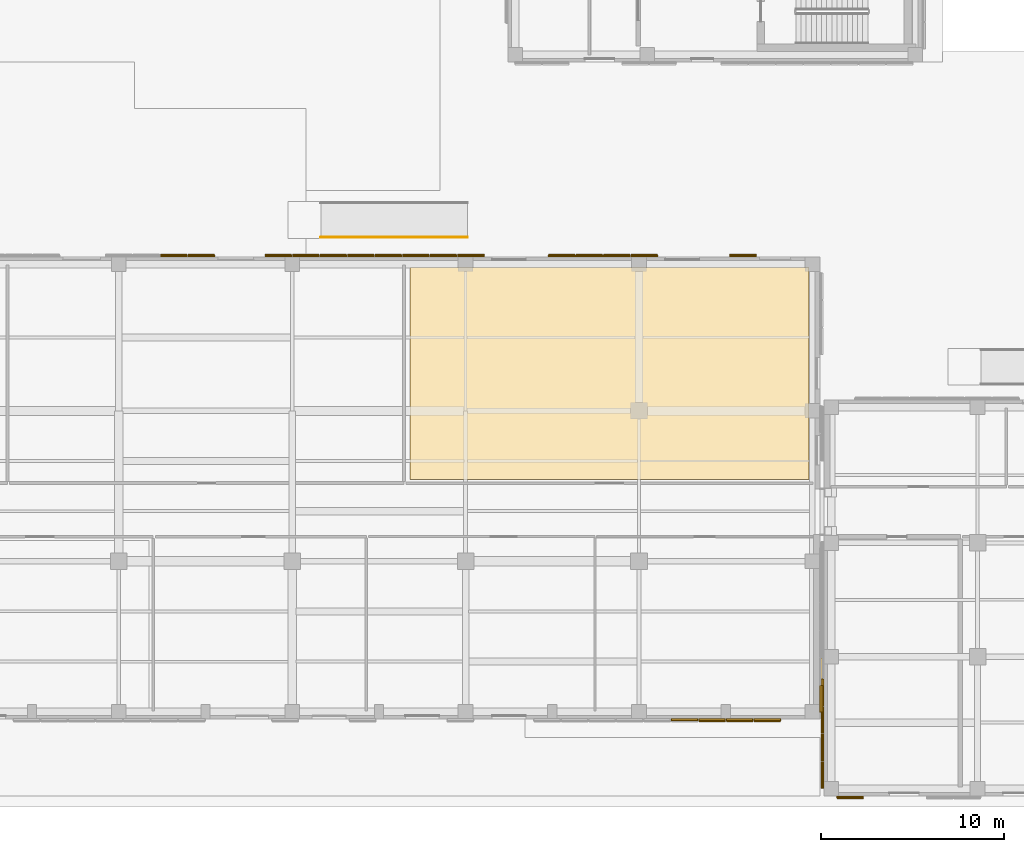
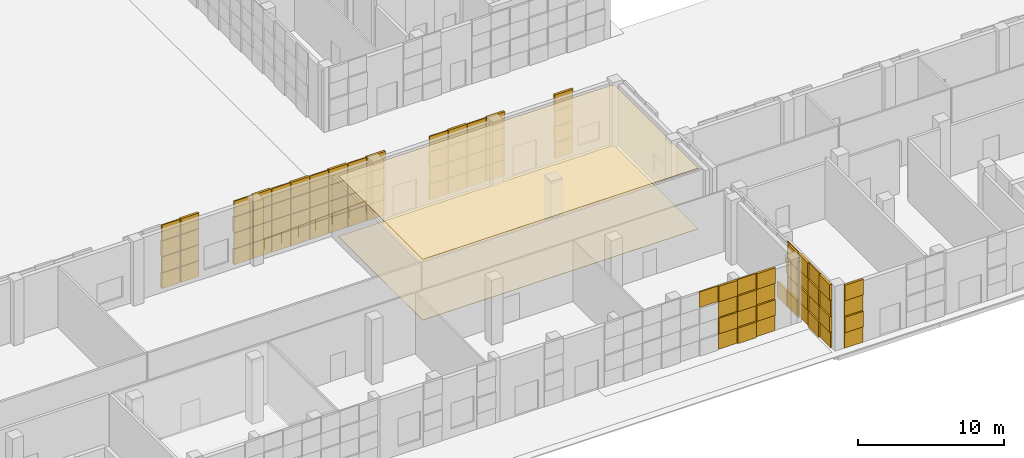
# One storey, part 26 of 40: 100 coverings, 1 railing.
"""IFC4 building model written with IfcOpenShell, lengths in metres."""

from ifc_helpers import new_model, si_unit, direction, frame, origin, origin_2d, place, context, subcontext, project, spatial, polyline, rectangle, circle, outline, extrude, material, layer, layer_set, type_object, element, save


model = new_model("IFC4")

# Units and contexts
model_context = context("Model", 3, precision=1e-05, world=origin(), true_north=direction((0.0, 1.0)))
body_context = subcontext(model_context, "Body", "Model", "MODEL_VIEW")
ifc_project = project(units=[si_unit("LENGTHUNIT", "METRE"), si_unit("AREAUNIT", "SQUARE_METRE"), si_unit("VOLUMEUNIT", "CUBIC_METRE"), si_unit("PLANEANGLEUNIT", "RADIAN"), si_unit("MASSUNIT", "GRAM", prefix="KILO")], contexts=[model_context])

# Site, building, storey
site_placement = place(None, origin())
site = spatial("IfcSite", under=ifc_project, at=site_placement, CompositionType="ELEMENT")
building_placement = place(site_placement, origin())
building = spatial("IfcBuilding", under=site, at=building_placement, Name="Qalavern Law Courts", CompositionType="ELEMENT")
storey_placement = place(building_placement, origin())
storey = spatial("IfcBuildingStorey", under=building, at=storey_placement, Name="L00", CompositionType="ELEMENT", Elevation=0.0)

# Coverings
ifc_material_1 = material(Name="Precast concrete C40/50", Category="concrete")
ifc_layer_1 = layer(ifc_material_1, 0.06005859375)
ifc_layer_set_1 = layer_set([ifc_layer_1], Name="Precast concrete C40/50")
covering_type_1 = type_object("IfcCoveringType", Name="ENV-CLD-1", PredefinedType="CLADDING", material=ifc_layer_set_1)
for number, where, z_axis, x_axis, name in (
    (1, (95.3349609375, 5.1201171875, 1.385009765625), (0.0, 0.0, 1.0), (1.0, 0.0, 0.0), "Cast drop-relief street-base tile 0258"),
    (2, (96.8349609375, 5.1201171875, 0.050048828125), (0.0, 0.0, 1.0), (1.0, 0.0, 0.0), "Cast drop-relief street-base tile 0261"),
):
    element("IfcCovering", number, at=place(storey_placement, frame(where, z_axis=z_axis, x_axis=x_axis)), inside=storey, type_object=covering_type_1, Name=name, PredefinedType="CLADDING", context=body_context, shape_type="SweptSolid", body=[
        extrude(rectangle(XDim=1.449951171875, YDim=0.16796875, at=origin_2d()), origin(), (0.0, 0.0, 1.0), 1.294921875),
    ])
for number, where, z_axis, x_axis, name in (
    (3, (96.8349609375, 5.162109375, 4.054931640625), (0.0, 0.0, 1.0), (1.0, 0.0, 0.0), "Cast drop-relief street-base tile 0264"),
    (4, (98.3349609375, 5.162109375, 2.719970703125), (0.0, 0.0, 1.0), (1.0, 0.0, 0.0), "Cast drop-relief street-base tile 0267"),
):
    element("IfcCovering", number, at=place(storey_placement, frame(where, z_axis=z_axis, x_axis=x_axis)), inside=storey, type_object=covering_type_1, Name=name, PredefinedType="CLADDING", context=body_context, shape_type="SweptSolid", body=[
        extrude(rectangle(XDim=1.449951171875, YDim=0.083984375, at=origin_2d()), origin(), (0.0, 0.0, 1.0), 1.294921875),
    ])
for number, where, z_axis, x_axis, name in (
    (5, (101.280029296875, 6.300048828125, 1.385009765625), (0.0, 0.0, 1.0), (0.0, 1.0, 0.0), "Cast drop-relief street-base tile 0270"),
    (6, (101.280029296875, 7.800048828125, 0.050048828125), (0.0, 0.0, 1.0), (0.0, 1.0, 0.0), "Cast drop-relief street-base tile 0273"),
    (7, (97.014892578125, 30.47998046875, 1.385009765625), (0.0, 0.0, 1.0), (-1.0, 0.0, 0.0), "Cast drop-relief street-base tile 0310"),
    (8, (91.635009765625, 30.47998046875, 1.385009765625), (0.0, 0.0, 1.0), (-1.0, 0.0, 0.0), "Cast drop-relief street-base tile 0314"),
    (9, (90.135009765625, 30.47998046875, 0.050048828125), (0.0, 0.0, 1.0), (-1.0, 0.0, 0.0), "Cast drop-relief street-base tile 0317"),
):
    element("IfcCovering", number, at=place(storey_placement, frame(where, z_axis=z_axis, x_axis=x_axis)), inside=storey, type_object=covering_type_1, Name=name, PredefinedType="CLADDING", context=body_context, shape_type="SweptSolid", body=[
        extrude(rectangle(XDim=1.449951171875, YDim=0.16796875, at=origin_2d()), origin(), (0.0, 0.0, 1.0), 1.294921875),
    ])
for number, where, z_axis, x_axis, name in (
    (10, (90.135009765625, 30.43798828125, 4.054931640625), (0.0, 0.0, 1.0), (-1.0, 0.0, 0.0), "Cast drop-relief street-base tile 0320"),
    (11, (88.635009765625, 30.43798828125, 2.719970703125), (0.0, 0.0, 1.0), (-1.0, 0.0, 0.0), "Cast drop-relief street-base tile 0323"),
    (12, (87.135009765625, 30.43798828125, 1.385009765625), (0.0, 0.0, 1.0), (-1.0, 0.0, 0.0), "Cast drop-relief street-base tile 0326"),
):
    element("IfcCovering", number, at=place(storey_placement, frame(where, z_axis=z_axis, x_axis=x_axis)), inside=storey, type_object=covering_type_1, Name=name, PredefinedType="CLADDING", context=body_context, shape_type="SweptSolid", body=[
        extrude(rectangle(XDim=1.449951171875, YDim=0.083984375, at=origin_2d()), origin(), (0.0, 0.0, 1.0), 1.294921875),
    ])
for number, where, z_axis, x_axis, name in (
    (13, (82.18505859375, 30.47998046875, 1.385009765625), (0.0, 0.0, 1.0), (-1.0, 0.0, 0.0), "Cast drop-relief street-base tile 0330"),
    (14, (80.68505859375, 30.47998046875, 0.050048828125), (0.0, 0.0, 1.0), (-1.0, 0.0, 0.0), "Cast drop-relief street-base tile 0333"),
):
    element("IfcCovering", number, at=place(storey_placement, frame(where, z_axis=z_axis, x_axis=x_axis)), inside=storey, type_object=covering_type_1, Name=name, PredefinedType="CLADDING", context=body_context, shape_type="SweptSolid", body=[
        extrude(rectangle(XDim=1.449951171875, YDim=0.16796875, at=origin_2d()), origin(), (0.0, 0.0, 1.0), 1.294921875),
    ])
for number, where, z_axis, x_axis, name in (
    (15, (80.68505859375, 30.43798828125, 4.054931640625), (0.0, 0.0, 1.0), (-1.0, 0.0, 0.0), "Cast drop-relief street-base tile 0336"),
    (16, (79.18505859375, 30.43798828125, 2.719970703125), (0.0, 0.0, 1.0), (-1.0, 0.0, 0.0), "Cast drop-relief street-base tile 0339"),
    (17, (77.68505859375, 30.43798828125, 1.385009765625), (0.0, 0.0, 1.0), (-1.0, 0.0, 0.0), "Cast drop-relief street-base tile 0342"),
    (18, (76.18505859375, 30.43798828125, 0.050048828125), (0.0, 0.0, 1.0), (-1.0, 0.0, 0.0), "Cast drop-relief street-base tile 0345"),
):
    element("IfcCovering", number, at=place(storey_placement, frame(where, z_axis=z_axis, x_axis=x_axis)), inside=storey, type_object=covering_type_1, Name=name, PredefinedType="CLADDING", context=body_context, shape_type="SweptSolid", body=[
        extrude(rectangle(XDim=1.449951171875, YDim=0.083984375, at=origin_2d()), origin(), (0.0, 0.0, 1.0), 1.294921875),
    ])
for number, where, z_axis, x_axis, name in (
    (19, (76.18505859375, 30.47998046875, 4.054931640625), (0.0, 0.0, 1.0), (-1.0, 0.0, 0.0), "Cast drop-relief street-base tile 0348"),
    (20, (74.68505859375, 30.47998046875, 2.719970703125), (0.0, 0.0, 1.0), (-1.0, 0.0, 0.0), "Cast drop-relief street-base tile 0351"),
    (21, (73.18505859375, 30.47998046875, 1.385009765625), (0.0, 0.0, 1.0), (-1.0, 0.0, 0.0), "Cast drop-relief street-base tile 0354"),
    (22, (71.68505859375, 30.47998046875, 0.050048828125), (0.0, 0.0, 1.0), (-1.0, 0.0, 0.0), "Cast drop-relief street-base tile 0357"),
):
    element("IfcCovering", number, at=place(storey_placement, frame(where, z_axis=z_axis, x_axis=x_axis)), inside=storey, type_object=covering_type_1, Name=name, PredefinedType="CLADDING", context=body_context, shape_type="SweptSolid", body=[
        extrude(rectangle(XDim=1.449951171875, YDim=0.16796875, at=origin_2d()), origin(), (0.0, 0.0, 1.0), 1.294921875),
    ])
covering_1_placement = place(storey_placement, frame((71.68505859375, 30.43798828125, 4.054931640625), z_axis=(0.0, 0.0, 1.0), x_axis=(-1.0, 0.0, 0.0)))
element("IfcCovering", 23, at=covering_1_placement, inside=storey, type_object=covering_type_1, Name="Cast drop-relief street-base tile 0360", PredefinedType="CLADDING", context=body_context, shape_type="SweptSolid", body=[
    extrude(rectangle(XDim=1.449951171875, YDim=0.083984375, at=origin_2d()), origin(), (0.0, 0.0, 1.0), 1.294921875),
])
for number, where, z_axis, x_axis, name in (
    (24, (67.489990234375, 30.47998046875, 1.385009765625), (0.0, 0.0, 1.0), (-1.0, 0.0, 0.0), "Cast drop-relief street-base tile 0362"),
    (25, (65.989990234375, 30.47998046875, 0.050048828125), (0.0, 0.0, 1.0), (-1.0, 0.0, 0.0), "Cast drop-relief street-base tile 0365"),
):
    element("IfcCovering", number, at=place(storey_placement, frame(where, z_axis=z_axis, x_axis=x_axis)), inside=storey, type_object=covering_type_1, Name=name, PredefinedType="CLADDING", context=body_context, shape_type="SweptSolid", body=[
        extrude(rectangle(XDim=1.449951171875, YDim=0.16796875, at=origin_2d()), origin(), (0.0, 0.0, 1.0), 1.294921875),
    ])
covering_2_placement = place(storey_placement, frame((65.989990234375, 30.43798828125, 4.054931640625), z_axis=(0.0, 0.0, 1.0), x_axis=(-1.0, 0.0, 0.0)))
element("IfcCovering", 26, at=covering_2_placement, inside=storey, type_object=covering_type_1, Name="Cast drop-relief street-base tile 0368", PredefinedType="CLADDING", context=body_context, shape_type="SweptSolid", body=[
    extrude(rectangle(XDim=1.449951171875, YDim=0.083984375, at=origin_2d()), origin(), (0.0, 0.0, 1.0), 1.294921875),
])
for number, where, z_axis, x_axis, name in (
    (27, (102.85498046875, 0.919921875, 1.385009765625), (0.0, 0.0, 1.0), (1.0, 0.0, 0.0), "Cast drop-relief street-base tile 1374"),
    (28, (101.340087890625, 6.64990234375, 2.719970703125), (0.0, 0.0, 1.0), (0.0, -1.0, 0.0), "Cast drop-relief street-base tile 1699"),
    (29, (101.340087890625, 5.14990234375, 1.385009765625), (0.0, 0.0, 1.0), (0.0, -1.0, 0.0), "Cast drop-relief street-base tile 1702"),
    (30, (101.340087890625, 3.64990234375, 0.050048828125), (0.0, 0.0, 1.0), (0.0, -1.0, 0.0), "Cast drop-relief street-base tile 1705"),
):
    element("IfcCovering", number, at=place(storey_placement, frame(where, z_axis=z_axis, x_axis=x_axis)), inside=storey, type_object=covering_type_1, Name=name, PredefinedType="CLADDING", context=body_context, shape_type="SweptSolid", body=[
        extrude(rectangle(XDim=1.449951171875, YDim=0.16796875, at=origin_2d()), origin(), (0.0, 0.0, 1.0), 1.294921875),
    ])
for number, where, z_axis, x_axis, name in (
    (31, (101.382080078125, 3.64990234375, 4.054931640625), (0.0, 0.0, 1.0), (0.0, -1.0, 0.0), "Cast drop-relief street-base tile 1708"),
    (32, (101.382080078125, 2.14990234375, 2.719970703125), (0.0, 0.0, 1.0), (0.0, -1.0, 0.0), "Cast drop-relief street-base tile 1711"),
):
    element("IfcCovering", number, at=place(storey_placement, frame(where, z_axis=z_axis, x_axis=x_axis)), inside=storey, type_object=covering_type_1, Name=name, PredefinedType="CLADDING", context=body_context, shape_type="SweptSolid", body=[
        extrude(rectangle(XDim=1.449951171875, YDim=0.083984375, at=origin_2d()), origin(), (0.0, 0.0, 1.0), 1.294921875),
    ])
ifc_layer_2 = layer(ifc_material_1, 0.072021484375)
ifc_layer_set_2 = layer_set([ifc_layer_2], Name="Precast concrete C40/50")
covering_type_2 = type_object("IfcCoveringType", Name="ENV-CLD-2", PredefinedType="CLADDING", material=ifc_layer_set_2)
for number, where, z_axis, x_axis, name in (
    (33, (93.8349609375, 5.162109375, 4.054931640625), (0.0, 0.0, 1.0), (1.0, 0.0, 0.0), "Cast drop-relief street-base tile 0256"),
    (34, (95.3349609375, 5.162109375, 2.719970703125), (0.0, 0.0, 1.0), (1.0, 0.0, 0.0), "Cast drop-relief street-base tile 0259"),
    (35, (96.8349609375, 5.162109375, 1.385009765625), (0.0, 0.0, 1.0), (1.0, 0.0, 0.0), "Cast drop-relief street-base tile 0262"),
    (36, (98.3349609375, 5.162109375, 0.050048828125), (0.0, 0.0, 1.0), (1.0, 0.0, 0.0), "Cast drop-relief street-base tile 0265"),
):
    element("IfcCovering", number, at=place(storey_placement, frame(where, z_axis=z_axis, x_axis=x_axis)), inside=storey, type_object=covering_type_2, Name=name, PredefinedType="CLADDING", context=body_context, shape_type="SweptSolid", body=[
        extrude(rectangle(XDim=1.449951171875, YDim=0.083984375, at=origin_2d()), origin(), (0.0, 0.0, 1.0), 1.294921875),
    ])
covering_3_placement = place(storey_placement, frame((98.3349609375, 5.1201171875, 4.054931640625), z_axis=(0.0, 0.0, 1.0), x_axis=(1.0, 0.0, 0.0)))
element("IfcCovering", 37, at=covering_3_placement, inside=storey, type_object=covering_type_2, Name="Cast drop-relief street-base tile 0268", PredefinedType="CLADDING", context=body_context, shape_type="SweptSolid", body=[
    extrude(rectangle(XDim=1.449951171875, YDim=0.16796875, at=origin_2d()), origin(), (0.0, 0.0, 1.0), 1.294921875),
])
for number, where, z_axis, x_axis, name in (
    (38, (101.238037109375, 6.300048828125, 2.719970703125), (0.0, 0.0, 1.0), (0.0, 1.0, 0.0), "Cast drop-relief street-base tile 0271"),
    (39, (97.014892578125, 30.43798828125, 2.719970703125), (0.0, 0.0, 1.0), (-1.0, 0.0, 0.0), "Cast drop-relief street-base tile 0311"),
    (40, (91.635009765625, 30.43798828125, 2.719970703125), (0.0, 0.0, 1.0), (-1.0, 0.0, 0.0), "Cast drop-relief street-base tile 0315"),
    (41, (90.135009765625, 30.43798828125, 1.385009765625), (0.0, 0.0, 1.0), (-1.0, 0.0, 0.0), "Cast drop-relief street-base tile 0318"),
    (42, (88.635009765625, 30.43798828125, 0.050048828125), (0.0, 0.0, 1.0), (-1.0, 0.0, 0.0), "Cast drop-relief street-base tile 0321"),
):
    element("IfcCovering", number, at=place(storey_placement, frame(where, z_axis=z_axis, x_axis=x_axis)), inside=storey, type_object=covering_type_2, Name=name, PredefinedType="CLADDING", context=body_context, shape_type="SweptSolid", body=[
        extrude(rectangle(XDim=1.449951171875, YDim=0.083984375, at=origin_2d()), origin(), (0.0, 0.0, 1.0), 1.294921875),
    ])
for number, where, z_axis, x_axis, name in (
    (43, (88.635009765625, 30.47998046875, 4.054931640625), (0.0, 0.0, 1.0), (-1.0, 0.0, 0.0), "Cast drop-relief street-base tile 0324"),
    (44, (87.135009765625, 30.47998046875, 2.719970703125), (0.0, 0.0, 1.0), (-1.0, 0.0, 0.0), "Cast drop-relief street-base tile 0327"),
):
    element("IfcCovering", number, at=place(storey_placement, frame(where, z_axis=z_axis, x_axis=x_axis)), inside=storey, type_object=covering_type_2, Name=name, PredefinedType="CLADDING", context=body_context, shape_type="SweptSolid", body=[
        extrude(rectangle(XDim=1.449951171875, YDim=0.16796875, at=origin_2d()), origin(), (0.0, 0.0, 1.0), 1.294921875),
    ])
for number, where, z_axis, x_axis, name in (
    (45, (82.18505859375, 30.43798828125, 2.719970703125), (0.0, 0.0, 1.0), (-1.0, 0.0, 0.0), "Cast drop-relief street-base tile 0331"),
    (46, (80.68505859375, 30.43798828125, 1.385009765625), (0.0, 0.0, 1.0), (-1.0, 0.0, 0.0), "Cast drop-relief street-base tile 0334"),
    (47, (79.18505859375, 30.43798828125, 0.050048828125), (0.0, 0.0, 1.0), (-1.0, 0.0, 0.0), "Cast drop-relief street-base tile 0337"),
):
    element("IfcCovering", number, at=place(storey_placement, frame(where, z_axis=z_axis, x_axis=x_axis)), inside=storey, type_object=covering_type_2, Name=name, PredefinedType="CLADDING", context=body_context, shape_type="SweptSolid", body=[
        extrude(rectangle(XDim=1.449951171875, YDim=0.083984375, at=origin_2d()), origin(), (0.0, 0.0, 1.0), 1.294921875),
    ])
for number, where, z_axis, x_axis, name in (
    (48, (79.18505859375, 30.47998046875, 4.054931640625), (0.0, 0.0, 1.0), (-1.0, 0.0, 0.0), "Cast drop-relief street-base tile 0340"),
    (49, (77.68505859375, 30.47998046875, 2.719970703125), (0.0, 0.0, 1.0), (-1.0, 0.0, 0.0), "Cast drop-relief street-base tile 0343"),
    (50, (76.18505859375, 30.47998046875, 1.385009765625), (0.0, 0.0, 1.0), (-1.0, 0.0, 0.0), "Cast drop-relief street-base tile 0346"),
    (51, (74.68505859375, 30.47998046875, 0.050048828125), (0.0, 0.0, 1.0), (-1.0, 0.0, 0.0), "Cast drop-relief street-base tile 0349"),
):
    element("IfcCovering", number, at=place(storey_placement, frame(where, z_axis=z_axis, x_axis=x_axis)), inside=storey, type_object=covering_type_2, Name=name, PredefinedType="CLADDING", context=body_context, shape_type="SweptSolid", body=[
        extrude(rectangle(XDim=1.449951171875, YDim=0.16796875, at=origin_2d()), origin(), (0.0, 0.0, 1.0), 1.294921875),
    ])
for number, where, z_axis, x_axis, name in (
    (52, (74.68505859375, 30.43798828125, 4.054931640625), (0.0, 0.0, 1.0), (-1.0, 0.0, 0.0), "Cast drop-relief street-base tile 0352"),
    (53, (73.18505859375, 30.43798828125, 2.719970703125), (0.0, 0.0, 1.0), (-1.0, 0.0, 0.0), "Cast drop-relief street-base tile 0355"),
    (54, (71.68505859375, 30.43798828125, 1.385009765625), (0.0, 0.0, 1.0), (-1.0, 0.0, 0.0), "Cast drop-relief street-base tile 0358"),
    (55, (67.489990234375, 30.43798828125, 2.719970703125), (0.0, 0.0, 1.0), (-1.0, 0.0, 0.0), "Cast drop-relief street-base tile 0363"),
    (56, (65.989990234375, 30.43798828125, 1.385009765625), (0.0, 0.0, 1.0), (-1.0, 0.0, 0.0), "Cast drop-relief street-base tile 0366"),
    (57, (102.85498046875, 0.9619140625, 2.719970703125), (0.0, 0.0, 1.0), (1.0, 0.0, 0.0), "Cast drop-relief street-base tile 1375"),
):
    element("IfcCovering", number, at=place(storey_placement, frame(where, z_axis=z_axis, x_axis=x_axis)), inside=storey, type_object=covering_type_2, Name=name, PredefinedType="CLADDING", context=body_context, shape_type="SweptSolid", body=[
        extrude(rectangle(XDim=1.449951171875, YDim=0.083984375, at=origin_2d()), origin(), (0.0, 0.0, 1.0), 1.294921875),
    ])
covering_4_placement = place(storey_placement, frame((101.340087890625, 6.64990234375, 0.050048828125), z_axis=(0.0, 0.0, 1.0), x_axis=(0.0, -1.0, 0.0)))
element("IfcCovering", 58, at=covering_4_placement, inside=storey, type_object=covering_type_2, Name="Cast drop-relief street-base tile 1697", PredefinedType="CLADDING", context=body_context, shape_type="SweptSolid", body=[
    extrude(rectangle(XDim=1.449951171875, YDim=0.16796875, at=origin_2d()), origin(), (0.0, 0.0, 1.0), 1.294921875),
])
for number, where, z_axis, x_axis, name in (
    (59, (101.382080078125, 6.64990234375, 4.054931640625), (0.0, 0.0, 1.0), (0.0, -1.0, 0.0), "Cast drop-relief street-base tile 1700"),
    (60, (101.382080078125, 5.14990234375, 2.719970703125), (0.0, 0.0, 1.0), (0.0, -1.0, 0.0), "Cast drop-relief street-base tile 1703"),
    (61, (101.382080078125, 3.64990234375, 1.385009765625), (0.0, 0.0, 1.0), (0.0, -1.0, 0.0), "Cast drop-relief street-base tile 1706"),
    (62, (101.382080078125, 2.14990234375, 0.050048828125), (0.0, 0.0, 1.0), (0.0, -1.0, 0.0), "Cast drop-relief street-base tile 1709"),
):
    element("IfcCovering", number, at=place(storey_placement, frame(where, z_axis=z_axis, x_axis=x_axis)), inside=storey, type_object=covering_type_2, Name=name, PredefinedType="CLADDING", context=body_context, shape_type="SweptSolid", body=[
        extrude(rectangle(XDim=1.449951171875, YDim=0.083984375, at=origin_2d()), origin(), (0.0, 0.0, 1.0), 1.294921875),
    ])
covering_5_placement = place(storey_placement, frame((101.340087890625, 2.14990234375, 4.054931640625), z_axis=(0.0, 0.0, 1.0), x_axis=(0.0, -1.0, 0.0)))
element("IfcCovering", 63, at=covering_5_placement, inside=storey, type_object=covering_type_2, Name="Cast drop-relief street-base tile 1712", PredefinedType="CLADDING", context=body_context, shape_type="SweptSolid", body=[
    extrude(rectangle(XDim=1.449951171875, YDim=0.16796875, at=origin_2d()), origin(), (0.0, 0.0, 1.0), 1.294921875),
])
ifc_layer_3 = layer(ifc_material_1, 0.083984375)
ifc_layer_set_3 = layer_set([ifc_layer_3], Name="Precast concrete C40/50")
covering_type_3 = type_object("IfcCoveringType", Name="ENV-CLD-3", PredefinedType="CLADDING", material=ifc_layer_set_3)
covering_6_placement = place(storey_placement, frame((95.3349609375, 5.162109375, 0.050048828125), z_axis=(0.0, 0.0, 1.0), x_axis=(1.0, 0.0, 0.0)))
element("IfcCovering", 64, at=covering_6_placement, inside=storey, type_object=covering_type_3, Name="Cast drop-relief street-base tile 0257", PredefinedType="CLADDING", context=body_context, shape_type="SweptSolid", body=[
    extrude(rectangle(XDim=1.449951171875, YDim=0.083984375, at=origin_2d()), origin(), (0.0, 0.0, 1.0), 1.294921875),
])
for number, where, z_axis, x_axis, name in (
    (65, (95.3349609375, 5.1201171875, 4.054931640625), (0.0, 0.0, 1.0), (1.0, 0.0, 0.0), "Cast drop-relief street-base tile 0260"),
    (66, (96.8349609375, 5.1201171875, 2.719970703125), (0.0, 0.0, 1.0), (1.0, 0.0, 0.0), "Cast drop-relief street-base tile 0263"),
    (67, (98.3349609375, 5.1201171875, 1.385009765625), (0.0, 0.0, 1.0), (1.0, 0.0, 0.0), "Cast drop-relief street-base tile 0266"),
):
    element("IfcCovering", number, at=place(storey_placement, frame(where, z_axis=z_axis, x_axis=x_axis)), inside=storey, type_object=covering_type_3, Name=name, PredefinedType="CLADDING", context=body_context, shape_type="SweptSolid", body=[
        extrude(rectangle(XDim=1.449951171875, YDim=0.16796875, at=origin_2d()), origin(), (0.0, 0.0, 1.0), 1.294921875),
    ])
covering_7_placement = place(storey_placement, frame((101.238037109375, 6.300048828125, 0.050048828125), z_axis=(0.0, 0.0, 1.0), x_axis=(0.0, 1.0, 0.0)))
element("IfcCovering", 68, at=covering_7_placement, inside=storey, type_object=covering_type_3, Name="Cast drop-relief street-base tile 0269", PredefinedType="CLADDING", context=body_context, shape_type="SweptSolid", body=[
    extrude(rectangle(XDim=1.449951171875, YDim=0.083984375, at=origin_2d()), origin(), (0.0, 0.0, 1.0), 1.294921875),
])
covering_8_placement = place(storey_placement, frame((101.280029296875, 6.300048828125, 4.054931640625), z_axis=(0.0, 0.0, 1.0), x_axis=(0.0, 1.0, 0.0)))
element("IfcCovering", 69, at=covering_8_placement, inside=storey, type_object=covering_type_3, Name="Cast drop-relief street-base tile 0272", PredefinedType="CLADDING", context=body_context, shape_type="SweptSolid", body=[
    extrude(rectangle(XDim=1.449951171875, YDim=0.16796875, at=origin_2d()), origin(), (0.0, 0.0, 1.0), 1.294921875),
])
covering_9_placement = place(storey_placement, frame((97.014892578125, 30.43798828125, 0.050048828125), z_axis=(0.0, 0.0, 1.0), x_axis=(-1.0, 0.0, 0.0)))
element("IfcCovering", 70, at=covering_9_placement, inside=storey, type_object=covering_type_3, Name="Cast drop-relief street-base tile 0309", PredefinedType="CLADDING", context=body_context, shape_type="SweptSolid", body=[
    extrude(rectangle(XDim=1.449951171875, YDim=0.083984375, at=origin_2d()), origin(), (0.0, 0.0, 1.0), 1.294921875),
])
covering_10_placement = place(storey_placement, frame((97.014892578125, 30.47998046875, 4.054931640625), z_axis=(0.0, 0.0, 1.0), x_axis=(-1.0, 0.0, 0.0)))
element("IfcCovering", 71, at=covering_10_placement, inside=storey, type_object=covering_type_3, Name="Cast drop-relief street-base tile 0312", PredefinedType="CLADDING", context=body_context, shape_type="SweptSolid", body=[
    extrude(rectangle(XDim=1.449951171875, YDim=0.16796875, at=origin_2d()), origin(), (0.0, 0.0, 1.0), 1.294921875),
])
covering_11_placement = place(storey_placement, frame((91.635009765625, 30.43798828125, 0.050048828125), z_axis=(0.0, 0.0, 1.0), x_axis=(-1.0, 0.0, 0.0)))
element("IfcCovering", 72, at=covering_11_placement, inside=storey, type_object=covering_type_3, Name="Cast drop-relief street-base tile 0313", PredefinedType="CLADDING", context=body_context, shape_type="SweptSolid", body=[
    extrude(rectangle(XDim=1.449951171875, YDim=0.083984375, at=origin_2d()), origin(), (0.0, 0.0, 1.0), 1.294921875),
])
for number, where, z_axis, x_axis, name in (
    (73, (91.635009765625, 30.47998046875, 4.054931640625), (0.0, 0.0, 1.0), (-1.0, 0.0, 0.0), "Cast drop-relief street-base tile 0316"),
    (74, (90.135009765625, 30.47998046875, 2.719970703125), (0.0, 0.0, 1.0), (-1.0, 0.0, 0.0), "Cast drop-relief street-base tile 0319"),
    (75, (88.635009765625, 30.47998046875, 1.385009765625), (0.0, 0.0, 1.0), (-1.0, 0.0, 0.0), "Cast drop-relief street-base tile 0322"),
    (76, (87.135009765625, 30.47998046875, 0.050048828125), (0.0, 0.0, 1.0), (-1.0, 0.0, 0.0), "Cast drop-relief street-base tile 0325"),
):
    element("IfcCovering", number, at=place(storey_placement, frame(where, z_axis=z_axis, x_axis=x_axis)), inside=storey, type_object=covering_type_3, Name=name, PredefinedType="CLADDING", context=body_context, shape_type="SweptSolid", body=[
        extrude(rectangle(XDim=1.449951171875, YDim=0.16796875, at=origin_2d()), origin(), (0.0, 0.0, 1.0), 1.294921875),
    ])
for number, where, z_axis, x_axis, name in (
    (77, (87.135009765625, 30.43798828125, 4.054931640625), (0.0, 0.0, 1.0), (-1.0, 0.0, 0.0), "Cast drop-relief street-base tile 0328"),
    (78, (82.18505859375, 30.43798828125, 0.050048828125), (0.0, 0.0, 1.0), (-1.0, 0.0, 0.0), "Cast drop-relief street-base tile 0329"),
):
    element("IfcCovering", number, at=place(storey_placement, frame(where, z_axis=z_axis, x_axis=x_axis)), inside=storey, type_object=covering_type_3, Name=name, PredefinedType="CLADDING", context=body_context, shape_type="SweptSolid", body=[
        extrude(rectangle(XDim=1.449951171875, YDim=0.083984375, at=origin_2d()), origin(), (0.0, 0.0, 1.0), 1.294921875),
    ])
for number, where, z_axis, x_axis, name in (
    (79, (82.18505859375, 30.47998046875, 4.054931640625), (0.0, 0.0, 1.0), (-1.0, 0.0, 0.0), "Cast drop-relief street-base tile 0332"),
    (80, (80.68505859375, 30.47998046875, 2.719970703125), (0.0, 0.0, 1.0), (-1.0, 0.0, 0.0), "Cast drop-relief street-base tile 0335"),
    (81, (79.18505859375, 30.47998046875, 1.385009765625), (0.0, 0.0, 1.0), (-1.0, 0.0, 0.0), "Cast drop-relief street-base tile 0338"),
    (82, (77.68505859375, 30.47998046875, 0.050048828125), (0.0, 0.0, 1.0), (-1.0, 0.0, 0.0), "Cast drop-relief street-base tile 0341"),
):
    element("IfcCovering", number, at=place(storey_placement, frame(where, z_axis=z_axis, x_axis=x_axis)), inside=storey, type_object=covering_type_3, Name=name, PredefinedType="CLADDING", context=body_context, shape_type="SweptSolid", body=[
        extrude(rectangle(XDim=1.449951171875, YDim=0.16796875, at=origin_2d()), origin(), (0.0, 0.0, 1.0), 1.294921875),
    ])
for number, where, z_axis, x_axis, name in (
    (83, (77.68505859375, 30.43798828125, 4.054931640625), (0.0, 0.0, 1.0), (-1.0, 0.0, 0.0), "Cast drop-relief street-base tile 0344"),
    (84, (76.18505859375, 30.43798828125, 2.719970703125), (0.0, 0.0, 1.0), (-1.0, 0.0, 0.0), "Cast drop-relief street-base tile 0347"),
    (85, (74.68505859375, 30.43798828125, 1.385009765625), (0.0, 0.0, 1.0), (-1.0, 0.0, 0.0), "Cast drop-relief street-base tile 0350"),
    (86, (73.18505859375, 30.43798828125, 0.050048828125), (0.0, 0.0, 1.0), (-1.0, 0.0, 0.0), "Cast drop-relief street-base tile 0353"),
):
    element("IfcCovering", number, at=place(storey_placement, frame(where, z_axis=z_axis, x_axis=x_axis)), inside=storey, type_object=covering_type_3, Name=name, PredefinedType="CLADDING", context=body_context, shape_type="SweptSolid", body=[
        extrude(rectangle(XDim=1.449951171875, YDim=0.083984375, at=origin_2d()), origin(), (0.0, 0.0, 1.0), 1.294921875),
    ])
for number, where, z_axis, x_axis, name in (
    (87, (73.18505859375, 30.47998046875, 4.054931640625), (0.0, 0.0, 1.0), (-1.0, 0.0, 0.0), "Cast drop-relief street-base tile 0356"),
    (88, (71.68505859375, 30.47998046875, 2.719970703125), (0.0, 0.0, 1.0), (-1.0, 0.0, 0.0), "Cast drop-relief street-base tile 0359"),
):
    element("IfcCovering", number, at=place(storey_placement, frame(where, z_axis=z_axis, x_axis=x_axis)), inside=storey, type_object=covering_type_3, Name=name, PredefinedType="CLADDING", context=body_context, shape_type="SweptSolid", body=[
        extrude(rectangle(XDim=1.449951171875, YDim=0.16796875, at=origin_2d()), origin(), (0.0, 0.0, 1.0), 1.294921875),
    ])
covering_12_placement = place(storey_placement, frame((67.489990234375, 30.43798828125, 0.050048828125), z_axis=(0.0, 0.0, 1.0), x_axis=(-1.0, 0.0, 0.0)))
element("IfcCovering", 89, at=covering_12_placement, inside=storey, type_object=covering_type_3, Name="Cast drop-relief street-base tile 0361", PredefinedType="CLADDING", context=body_context, shape_type="SweptSolid", body=[
    extrude(rectangle(XDim=1.449951171875, YDim=0.083984375, at=origin_2d()), origin(), (0.0, 0.0, 1.0), 1.294921875),
])
for number, where, z_axis, x_axis, name in (
    (90, (67.489990234375, 30.47998046875, 4.054931640625), (0.0, 0.0, 1.0), (-1.0, 0.0, 0.0), "Cast drop-relief street-base tile 0364"),
    (91, (65.989990234375, 30.47998046875, 2.719970703125), (0.0, 0.0, 1.0), (-1.0, 0.0, 0.0), "Cast drop-relief street-base tile 0367"),
):
    element("IfcCovering", number, at=place(storey_placement, frame(where, z_axis=z_axis, x_axis=x_axis)), inside=storey, type_object=covering_type_3, Name=name, PredefinedType="CLADDING", context=body_context, shape_type="SweptSolid", body=[
        extrude(rectangle(XDim=1.449951171875, YDim=0.16796875, at=origin_2d()), origin(), (0.0, 0.0, 1.0), 1.294921875),
    ])
covering_13_placement = place(storey_placement, frame((102.85498046875, 0.9619140625, 0.050048828125), z_axis=(0.0, 0.0, 1.0), x_axis=(1.0, 0.0, 0.0)))
element("IfcCovering", 92, at=covering_13_placement, inside=storey, type_object=covering_type_3, Name="Cast drop-relief street-base tile 1373", PredefinedType="CLADDING", context=body_context, shape_type="SweptSolid", body=[
    extrude(rectangle(XDim=1.449951171875, YDim=0.083984375, at=origin_2d()), origin(), (0.0, 0.0, 1.0), 1.294921875),
])
covering_14_placement = place(storey_placement, frame((102.85498046875, 0.919921875, 4.054931640625), z_axis=(0.0, 0.0, 1.0), x_axis=(1.0, 0.0, 0.0)))
element("IfcCovering", 93, at=covering_14_placement, inside=storey, type_object=covering_type_3, Name="Cast drop-relief street-base tile 1376", PredefinedType="CLADDING", context=body_context, shape_type="SweptSolid", body=[
    extrude(rectangle(XDim=1.449951171875, YDim=0.16796875, at=origin_2d()), origin(), (0.0, 0.0, 1.0), 1.294921875),
])
for number, where, z_axis, x_axis, name in (
    (94, (101.382080078125, 6.64990234375, 1.385009765625), (0.0, 0.0, 1.0), (0.0, -1.0, 0.0), "Cast drop-relief street-base tile 1698"),
    (95, (101.382080078125, 5.14990234375, 0.050048828125), (0.0, 0.0, 1.0), (0.0, -1.0, 0.0), "Cast drop-relief street-base tile 1701"),
):
    element("IfcCovering", number, at=place(storey_placement, frame(where, z_axis=z_axis, x_axis=x_axis)), inside=storey, type_object=covering_type_3, Name=name, PredefinedType="CLADDING", context=body_context, shape_type="SweptSolid", body=[
        extrude(rectangle(XDim=1.449951171875, YDim=0.083984375, at=origin_2d()), origin(), (0.0, 0.0, 1.0), 1.294921875),
    ])
for number, where, z_axis, x_axis, name in (
    (96, (101.340087890625, 5.14990234375, 4.054931640625), (0.0, 0.0, 1.0), (0.0, -1.0, 0.0), "Cast drop-relief street-base tile 1704"),
    (97, (101.340087890625, 3.64990234375, 2.719970703125), (0.0, 0.0, 1.0), (0.0, -1.0, 0.0), "Cast drop-relief street-base tile 1707"),
    (98, (101.340087890625, 2.14990234375, 1.385009765625), (0.0, 0.0, 1.0), (0.0, -1.0, 0.0), "Cast drop-relief street-base tile 1710"),
):
    element("IfcCovering", number, at=place(storey_placement, frame(where, z_axis=z_axis, x_axis=x_axis)), inside=storey, type_object=covering_type_3, Name=name, PredefinedType="CLADDING", context=body_context, shape_type="SweptSolid", body=[
        extrude(rectangle(XDim=1.449951171875, YDim=0.16796875, at=origin_2d()), origin(), (0.0, 0.0, 1.0), 1.294921875),
    ])
ifc_material_2 = material(Name="Perforated gypsum and mineral-wool acoustic ceiling")
ifc_layer_4 = layer(ifc_material_2, 0.0458984375)
ifc_layer_set_4 = layer_set([ifc_layer_4], Name="Perforated gypsum and mineral-wool acoustic ceiling")
covering_type_4 = type_object("IfcCoveringType", Name="INT-CEIL-2", PredefinedType="CEILING", material=ifc_layer_set_4)
covering_15_placement = place(storey_placement, frame((0.0, 0.0, 5.053955078125)))
element("IfcCovering", 99, at=covering_15_placement, inside=storey, type_object=covering_type_4, Name="Public Hall acoustic ceiling L00", PredefinedType="CEILING", context=body_context, shape_type="SweptSolid", body=[
    extrude(outline(polyline([(78.85888671875, 18.27001953125), (100.610107421875, 18.27001953125), (100.610107421875, 29.81005859375), (78.85888671875, 29.81005859375), (78.85888671875, 18.27001953125)])), origin(), (0.0, 0.0, 1.0), 0.046142578125),
])
ifc_material_3 = material(Name="Polished Absheron stone terrazzo flooring", Category="masonry")
ifc_layer_5 = layer(ifc_material_3, 0.030029296875)
ifc_layer_set_5 = layer_set([ifc_layer_5], Name="Polished Absheron stone terrazzo flooring")
covering_type_5 = type_object("IfcCoveringType", Name="INT-FLR-2", PredefinedType="FLOORING", material=ifc_layer_set_5)
covering_16_placement = place(storey_placement, origin())
element("IfcCovering", 100, at=covering_16_placement, inside=storey, type_object=covering_type_5, Name="Public Hall finish flooring L00", PredefinedType="FLOORING", context=body_context, shape_type="SweptSolid", body=[
    extrude(outline(polyline([(78.85888671875, 18.27001953125), (100.610107421875, 18.27001953125), (100.610107421875, 29.81005859375), (78.85888671875, 29.81005859375), (78.85888671875, 18.27001953125)])), origin(), (0.0, 0.0, 1.0), 0.030029296875),
])

# Railing
ifc_material_4 = material(Name="Steel S355", Category="steel")
railing_type = type_object("IfcRailingType", Name="INT-HRAIL-900", PredefinedType="HANDRAIL", material=ifc_material_4)
railing_placement = place(storey_placement, frame((74.0, 31.4599609375, -0.35009765625)))
element("IfcRailing", 101, at=railing_placement, inside=storey, type_object=railing_type, Name="Inner Courtyard Accessible Pedestrian Ramp handrail 1", PredefinedType="HANDRAIL", context=body_context, shape_type="SweptSolid", body=[
    extrude(circle(Radius=0.02392578125, at=origin_2d()), frame((0.0, 0.0, 0.8759765625), z_axis=(0.999043807824, 0.0, 0.043720361951), x_axis=(0.0, 1.0, 0.0)), (0.0, 0.0, 1.0), 8.007568359375),
    extrude(circle(Radius=0.02099609375, at=origin_2d()), origin(), (0.0, 0.0, 1.0), 0.851806640625),
    extrude(circle(Radius=0.02099609375, at=origin_2d()), frame((1.333251953125, 0.0, 0.058349609375)), (0.0, 0.0, 1.0), 0.851806640625),
    extrude(circle(Radius=0.02099609375, at=origin_2d()), frame((2.666748046875, 0.0, 0.11669921875)), (0.0, 0.0, 1.0), 0.851806640625),
    extrude(circle(Radius=0.02099609375, at=origin_2d()), frame((4.0, 0.0, 0.175048828125)), (0.0, 0.0, 1.0), 0.851806640625),
    extrude(circle(Radius=0.02099609375, at=origin_2d()), frame((5.333251953125, 0.0, 0.2333984375)), (0.0, 0.0, 1.0), 0.851806640625),
    extrude(circle(Radius=0.02099609375, at=origin_2d()), frame((6.666748046875, 0.0, 0.291748046875)), (0.0, 0.0, 1.0), 0.851806640625),
    extrude(circle(Radius=0.02099609375, at=origin_2d()), frame((8.0, 0.0, 0.35009765625)), (0.0, 0.0, 1.0), 0.851806640625),
])

save(model, "model.ifc")
